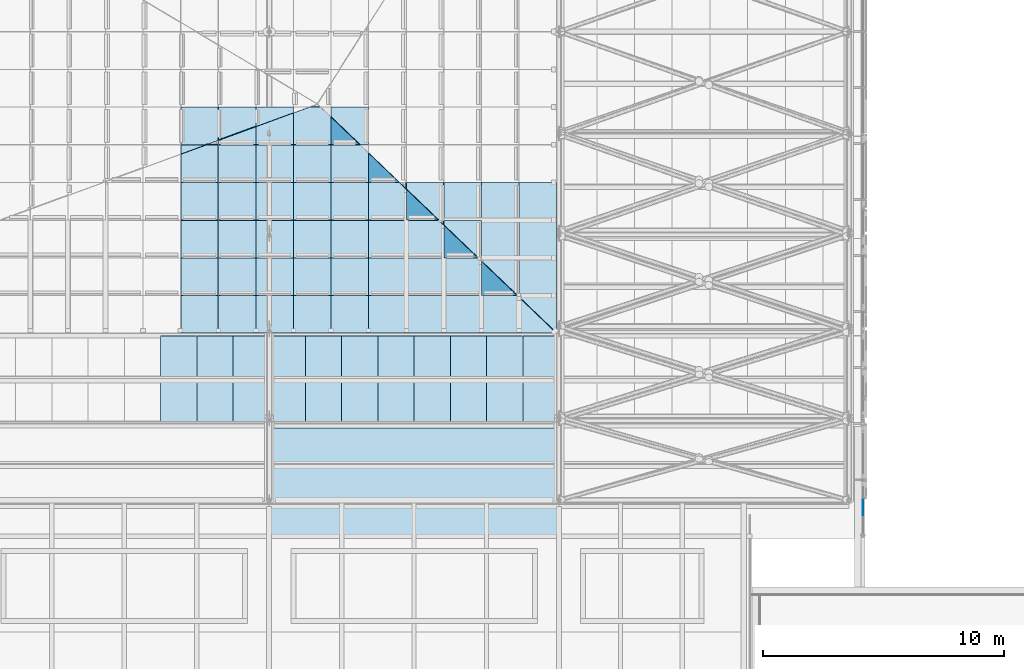
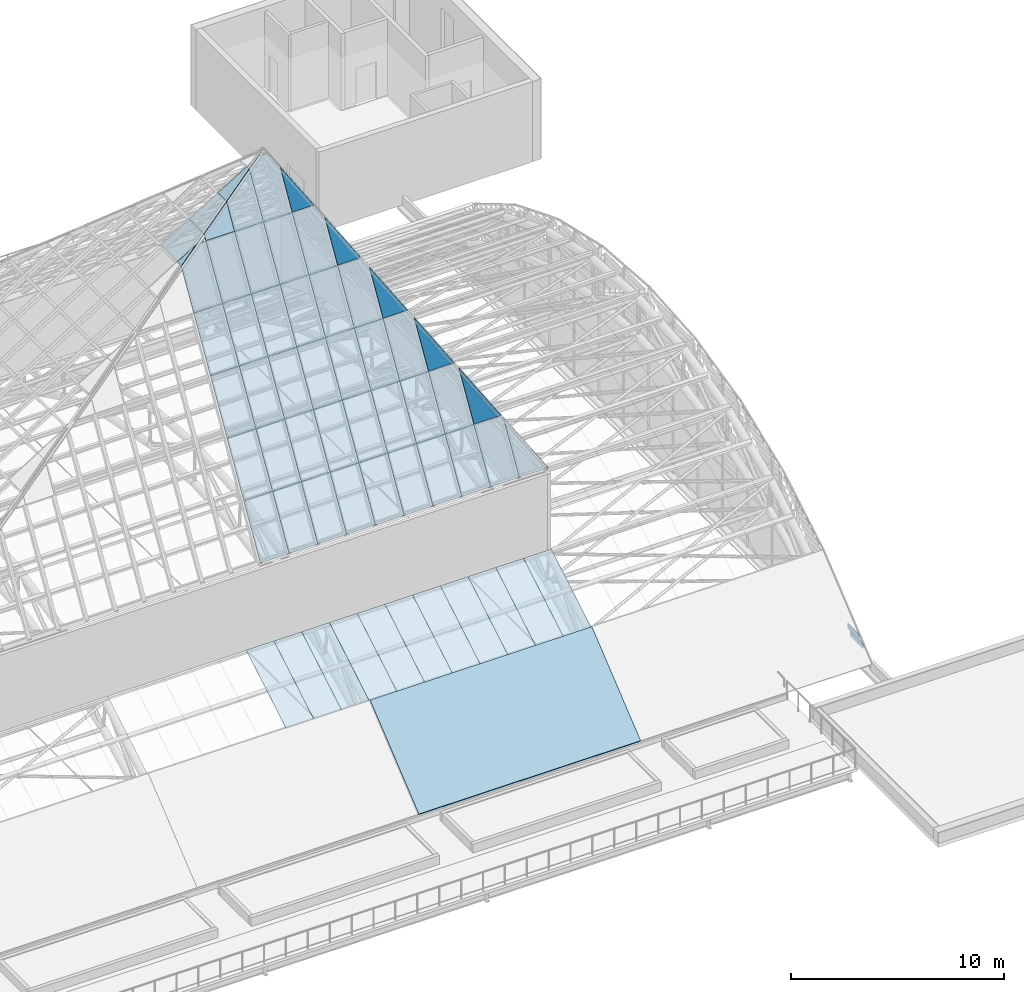
# One storey, part 60 of 110: 72 plates, 1 slab, 1 element without a shape of its own.
"""IFC4 building model written with IfcOpenShell, lengths in metres."""

from ifc_helpers import new_model, si_unit, direction, frame, origin, place, context, subcontext, project, spatial, polyline, outline, extrude, material, layer, layer_set, type_object, element, aggregate, save


model = new_model("IFC4")

# Units and contexts
model_context = context("Model", 3, precision=1e-05, world=origin(), true_north=direction((0.0, 1.0)))
body_context = subcontext(model_context, "Body", "Model", "MODEL_VIEW")
ifc_project = project(units=[si_unit("LENGTHUNIT", "METRE"), si_unit("AREAUNIT", "SQUARE_METRE"), si_unit("VOLUMEUNIT", "CUBIC_METRE"), si_unit("PLANEANGLEUNIT", "RADIAN"), si_unit("MASSUNIT", "GRAM", prefix="KILO")], contexts=[model_context])

# Site, building, storey
site_placement = place(None, origin())
site = spatial("IfcSite", under=ifc_project, at=site_placement, CompositionType="ELEMENT")
building_placement = place(site_placement, origin())
building = spatial("IfcBuilding", under=site, at=building_placement, Name="Windward Yard Aquatics Centre", CompositionType="ELEMENT")
storey_placement = place(building_placement, frame((0.0, 0.0, 22.60009765625)))
storey = spatial("IfcBuildingStorey", under=building, at=storey_placement, Name="L05", CompositionType="ELEMENT", Elevation=22.60009765625)

# Curtain wall, plates
ifc_material_1 = material(Name="Glass and aluminium curtain wall", Category="aluminium")
ifc_layer_1 = layer(ifc_material_1, 0.179931640625)
ifc_layer_set_1 = layer_set([ifc_layer_1], Name="H gable glazing system double glazed 8+16+8")
curtain_wall_type = type_object("IfcCurtainWallType", Name="H gable glazing system double glazed 8+16+8", PredefinedType="NOTDEFINED", material=ifc_layer_set_1)
curtain_wall_placement = place(storey_placement, origin())
curtain_wall = element("IfcCurtainWall", 1, at=curtain_wall_placement, inside=storey, type_object=curtain_wall_type, Name="Gable glazing E", PredefinedType="NOTDEFINED")
ifc_material_2 = material(Name="Low-iron glass", Category="glass")
ifc_layer_2 = layer(ifc_material_2, 0.008, Name="Outer pane")
ifc_material_3 = material(Name="Argon-filled cavity")
ifc_layer_3 = layer(ifc_material_3, 0.016, Name="Cavity")
ifc_layer_4 = layer(ifc_material_2, 0.008, Name="Inner pane")
ifc_layer_set_2 = layer_set([ifc_layer_2, ifc_layer_3, ifc_layer_4], Name="H gable glass low-e double glazed unit 32")
plate_type_1 = type_object("IfcPlateType", Name="H gable glass low-e double glazed unit 32", PredefinedType="CURTAIN_PANEL", material=ifc_layer_set_2)
plate_1_placement = place(storey_placement, frame((144.60595703125, 40.974609375, 0.69091796875), z_axis=(1.0, 0.0, 0.0), x_axis=(0.0, 1.0, 0.0)))
plate_1 = element("IfcPlate", 2, at=plate_1_placement, type_object=plate_type_1, Name="Gable panel 1.1c", PredefinedType="CURTAIN_PANEL", context=body_context, shape_type="SweptSolid", body=[
    extrude(outline(polyline([(0.0, 0.0), (1.186523, 0.0), (1.186523, 0.295166), (0.0, 0.295166), (0.0, 0.0)])), origin(), (0.0, 0.0, -1.0), 0.031982421875),
])
plate_2_placement = place(storey_placement, frame((144.60595703125, 41.334228515625, 0.986328125), z_axis=(1.0, 0.0, 0.0), x_axis=(0.0, 1.0, 0.0)))
plate_2 = element("IfcPlate", 3, at=plate_2_placement, type_object=plate_type_1, Name="Gable panel 1.1d", PredefinedType="CURTAIN_PANEL", context=body_context, shape_type="SweptSolid", body=[
    extrude(outline(polyline([(0.0, 0.0), (1.079346, 0.0), (1.079346, 0.295166), (0.0, 0.295166), (0.0, 0.0)])), origin(), (0.0, 0.0, -1.0), 0.031982421875),
])
aggregate(curtain_wall, [plate_1, plate_2])

# Plates
ifc_material_4 = material(Name="Laminated low-e glass", Category="glass")
ifc_layer_5 = layer(ifc_material_4, 0.035888671875)
ifc_layer_set_3 = layer_set([ifc_layer_5], Name="H lantern glass laminated low-e 36")
plate_type_2 = type_object("IfcPlateType", Name="H lantern glass laminated low-e 36", PredefinedType="SHEET", material=ifc_layer_set_3)
plate_3_placement = place(storey_placement, frame((130.347412109375, 48.514404296875, 10.901123046875), z_axis=(0.0, -0.860068435284, 0.51017868108), x_axis=(0.0, 0.51017868108, 0.860068435284)))
element("IfcPlate", 4, at=plate_3_placement, inside=storey, type_object=plate_type_2, Name="H.LN.G.01.001", PredefinedType="SHEET", context=body_context, shape_type="SweptSolid", body=[
    extrude(outline(polyline([(0.0, 0.0), (2.898513, 0.0), (0.0, -1.54248), (0.0, 0.0)])), origin(), (0.0, 0.0, -1.0), 0.035888671875),
])
plate_4_placement = place(storey_placement, frame((128.791015625, 48.514404296875, 10.901123046875), z_axis=(2.024655e-06, -0.860085640139, 0.510149675705), x_axis=(0.0, 0.510149675706, 0.860085640141)))
element("IfcPlate", 5, at=plate_4_placement, inside=storey, type_object=plate_type_2, Name="H.LN.G.01.002", PredefinedType="SHEET", context=body_context, shape_type="SweptSolid", body=[
    extrude(outline(polyline([(0.0, 0.0), (3.044641, 0.0), (3.044641, -1.47876), (2.913503, -1.548584), (0.0, -1.548584), (0.0, 0.0)])), origin(), (0.0, 0.0, -1.0), 0.035888671875),
])
plate_5_placement = place(storey_placement, frame((128.791015625, 50.07568359375, 13.533203125), z_axis=(0.0, -0.860109194149, 0.510109962793), x_axis=(0.0, 0.510109962793, 0.860109194149)))
element("IfcPlate", 6, at=plate_5_placement, inside=storey, type_object=plate_type_2, Name="H.LN.G.01.003", PredefinedType="SHEET", context=body_context, shape_type="SweptSolid", body=[
    extrude(outline(polyline([(0.0, 0.0), (2.76298, 0.0), (0.0, -1.470215), (0.0, 0.0)])), origin(), (0.0, 0.0, -1.0), 0.035888671875),
])
plate_6_placement = place(storey_placement, frame((127.234375, 48.514404296875, 10.901123046875), z_axis=(0.0, -0.860085663828, 0.510149635771), x_axis=(0.0, 0.510149635771, 0.860085663828)))
element("IfcPlate", 7, at=plate_6_placement, inside=storey, type_object=plate_type_2, Name="H.LN.G.01.004", PredefinedType="SHEET", context=body_context, shape_type="SweptSolid", body=[
    extrude(outline(polyline([(0.0, 0.0), (3.044641, 0.0), (3.044641, -1.548584), (0.0, -1.548584), (0.0, 0.0)])), origin(), (0.0, 0.0, -1.0), 0.035888671875),
])
plate_7_placement = place(storey_placement, frame((127.234375, 50.07568359375, 13.533203125), z_axis=(3.389385e-05, -0.860105723215, 0.51011581405), x_axis=(-5.4e-11, 0.510115814343, 0.860105723709)))
element("IfcPlate", 8, at=plate_7_placement, inside=storey, type_object=plate_type_2, Name="H.LN.G.01.005", PredefinedType="SHEET", context=body_context, shape_type="SweptSolid", body=[
    extrude(outline(polyline([(0.0, 0.0), (3.044851, 0.0), (3.044851, -1.406494), (2.778095, -1.548584), (0.0, -1.548584), (0.0, 0.0)])), origin(), (0.0, 0.0, -1.0), 0.035888671875),
])
plate_8_placement = place(storey_placement, frame((127.234375, 51.636962890625, 16.16552734375), z_axis=(0.0, -0.860129977168, 0.510074918396), x_axis=(0.0, 0.510074918396, 0.860129977168)))
element("IfcPlate", 9, at=plate_8_placement, inside=storey, type_object=plate_type_2, Name="H.LN.G.01.006", PredefinedType="SHEET", context=body_context, shape_type="SweptSolid", body=[
    extrude(outline(polyline([(0.0, 0.0), (2.627237, 0.0), (0.0, -1.398193), (0.0, 0.0)])), origin(), (0.0, 0.0, -1.0), 0.035888671875),
])
plate_9_placement = place(storey_placement, frame((125.677978515625, 48.514404296875, 10.901123046875), z_axis=(0.0, -0.860085663828, 0.510149635771), x_axis=(0.0, 0.510149635771, 0.860085663828)))
element("IfcPlate", 10, at=plate_9_placement, inside=storey, type_object=plate_type_2, Name="H.LN.G.01.007", PredefinedType="SHEET", context=body_context, shape_type="SweptSolid", body=[
    extrude(outline(polyline([(0.0, 0.0), (3.044641, 0.0), (3.044641, -1.54834), (0.0, -1.54834), (0.0, 0.0)])), origin(), (0.0, 0.0, -1.0), 0.035888671875),
])
plate_10_placement = place(storey_placement, frame((125.677978515625, 50.07568359375, 13.533203125), z_axis=(0.0, -0.860106530547, 0.510114453933), x_axis=(0.0, 0.510114453933, 0.860106530547)))
element("IfcPlate", 11, at=plate_10_placement, inside=storey, type_object=plate_type_2, Name="H.LN.G.01.008", PredefinedType="SHEET", context=body_context, shape_type="SweptSolid", body=[
    extrude(outline(polyline([(0.0, 0.0), (3.044851, 0.0), (3.044851, -1.54834), (0.0, -1.54834), (0.0, 0.0)])), origin(), (0.0, 0.0, -1.0), 0.035888671875),
])
plate_11_placement = place(storey_placement, frame((125.677978515625, 51.636962890625, 16.16552734375), z_axis=(4.0007765e-05, -0.860105094744, 0.51011687327), x_axis=(-1.13e-10, 0.510116873679, 0.860105095432)))
element("IfcPlate", 12, at=plate_11_placement, inside=storey, type_object=plate_type_2, Name="H.LN.G.01.009", PredefinedType="SHEET", context=body_context, shape_type="SweptSolid", body=[
    extrude(outline(polyline([(0.0, 0.0), (3.044851, 0.0), (3.044851, -1.334229), (2.642142, -1.54834), (0.0, -1.54834), (0.0, 0.0)])), origin(), (0.0, 0.0, -1.0), 0.035888671875),
])
plate_12_placement = place(storey_placement, frame((125.677978515625, 53.197998046875, 18.7978515625), z_axis=(0.0, -0.860110033295, 0.510108547885), x_axis=(0.0, 0.510108547885, 0.860110033295)))
element("IfcPlate", 13, at=plate_12_placement, inside=storey, type_object=plate_type_2, Name="H.LN.G.01.010", PredefinedType="SHEET", context=body_context, shape_type="SweptSolid", body=[
    extrude(outline(polyline([(0.0, 0.0), (2.491619, 0.0), (0.0, -1.325928), (0.0, 0.0)])), origin(), (0.0, 0.0, -1.0), 0.035888671875),
])
plate_13_placement = place(storey_placement, frame((124.121337890625, 48.514404296875, 10.901123046875), z_axis=(0.0, -0.860085663828, 0.510149635771), x_axis=(0.0, 0.510149635771, 0.860085663828)))
element("IfcPlate", 14, at=plate_13_placement, inside=storey, type_object=plate_type_2, Name="H.LN.G.01.011", PredefinedType="SHEET", context=body_context, shape_type="SweptSolid", body=[
    extrude(outline(polyline([(0.0, 0.0), (3.044641, 0.0), (3.044641, -1.548584), (0.0, -1.548584), (0.0, 0.0)])), origin(), (0.0, 0.0, -1.0), 0.035888671875),
])
for number, where, z_axis, x_axis, name in (
    (15, (124.121337890625, 50.07568359375, 13.533203125), (0.0, -0.860106530547, 0.510114453933), (0.0, 0.510114453933, 0.860106530547), "H.LN.G.01.012"),
    (16, (124.121337890625, 51.636962890625, 16.16552734375), (0.0, -0.860106530547, 0.510114453933), (0.0, 0.510114453933, 0.860106530547), "H.LN.G.01.013"),
):
    element("IfcPlate", number, at=place(storey_placement, frame(where, z_axis=z_axis, x_axis=x_axis)), inside=storey, type_object=plate_type_2, Name=name, PredefinedType="SHEET", context=body_context, shape_type="SweptSolid", body=[
        extrude(outline(polyline([(0.0, 0.0), (3.044851, 0.0), (3.044851, -1.548584), (0.0, -1.548584), (0.0, 0.0)])), origin(), (0.0, 0.0, -1.0), 0.035888671875),
    ])
plate_14_placement = place(storey_placement, frame((124.121337890625, 53.197998046875, 18.7978515625), z_axis=(4.0663214e-05, -0.860083711914, 0.510152924962), x_axis=(-1.56e-10, 0.510152925384, 0.860083712625)))
element("IfcPlate", 17, at=plate_14_placement, inside=storey, type_object=plate_type_2, Name="H.LN.G.01.014", PredefinedType="SHEET", context=body_context, shape_type="SweptSolid", body=[
    extrude(outline(polyline([(0.0, 0.0), (3.044641, 0.0), (3.044641, -1.262207), (2.506523, -1.548584), (0.0, -1.548584), (0.0, 0.0)])), origin(), (0.0, 0.0, -1.0), 0.035888671875),
])
plate_15_placement = place(storey_placement, frame((124.121337890625, 54.75927734375, 21.43017578125), z_axis=(0.0, -0.86010629316, 0.510114854191), x_axis=(0.0, 0.510114854191, 0.86010629316)))
element("IfcPlate", 18, at=plate_15_placement, inside=storey, type_object=plate_type_2, Name="H.LN.G.01.015", PredefinedType="SHEET", context=body_context, shape_type="SweptSolid", body=[
    extrude(outline(polyline([(0.0, 0.0), (2.355666, 0.0), (0.0, -1.253906), (0.0, 0.0)])), origin(), (0.0, 0.0, -1.0), 0.035888671875),
])
plate_16_placement = place(storey_placement, frame((122.56494140625, 48.514404296875, 10.901123046875), z_axis=(0.0, -0.860085663828, 0.510149635771), x_axis=(0.0, 0.510149635771, 0.860085663828)))
element("IfcPlate", 19, at=plate_16_placement, inside=storey, type_object=plate_type_2, Name="H.LN.G.01.016", PredefinedType="SHEET", context=body_context, shape_type="SweptSolid", body=[
    extrude(outline(polyline([(0.0, 0.0), (3.044641, 0.0), (3.044641, -1.54834), (0.0, -1.54834), (0.0, 0.0)])), origin(), (0.0, 0.0, -1.0), 0.035888671875),
])
for number, where, z_axis, x_axis, name in (
    (20, (122.56494140625, 50.07568359375, 13.533203125), (0.0, -0.860106530547, 0.510114453933), (0.0, 0.510114453933, 0.860106530547), "H.LN.G.01.017"),
    (21, (122.56494140625, 51.636962890625, 16.16552734375), (0.0, -0.860106530547, 0.510114453933), (0.0, 0.510114453933, 0.860106530547), "H.LN.G.01.018"),
):
    element("IfcPlate", number, at=place(storey_placement, frame(where, z_axis=z_axis, x_axis=x_axis)), inside=storey, type_object=plate_type_2, Name=name, PredefinedType="SHEET", context=body_context, shape_type="SweptSolid", body=[
        extrude(outline(polyline([(0.0, 0.0), (3.044851, 0.0), (3.044851, -1.54834), (0.0, -1.54834), (0.0, 0.0)])), origin(), (0.0, 0.0, -1.0), 0.035888671875),
    ])
plate_17_placement = place(storey_placement, frame((122.56494140625, 53.197998046875, 18.7978515625), z_axis=(0.0, -0.860085663828, 0.510149635771), x_axis=(0.0, 0.510149635771, 0.860085663828)))
element("IfcPlate", 22, at=plate_17_placement, inside=storey, type_object=plate_type_2, Name="H.LN.G.01.019", PredefinedType="SHEET", context=body_context, shape_type="SweptSolid", body=[
    extrude(outline(polyline([(0.0, 0.0), (3.044641, 0.0), (3.044641, -1.54834), (0.0, -1.54834), (0.0, 0.0)])), origin(), (0.0, 0.0, -1.0), 0.035888671875),
])
plate_18_placement = place(storey_placement, frame((122.56494140625, 54.75927734375, 21.43017578125), z_axis=(7.655955e-06, -0.860085204047, 0.510150410879), x_axis=(-7e-12, 0.510150410894, 0.860085204073)))
element("IfcPlate", 23, at=plate_18_placement, inside=storey, type_object=plate_type_2, Name="H.LN.G.01.020", PredefinedType="SHEET", context=body_context, shape_type="SweptSolid", body=[
    extrude(outline(polyline([(0.0, 0.0), (3.044641, 0.0), (3.044641, -1.189941), (2.37078, -1.54834), (0.0, -1.54834), (0.0, 0.0)])), origin(), (0.0, 0.0, -1.0), 0.035888671875),
])
plate_19_placement = place(storey_placement, frame((122.56494140625, 56.320556640625, 24.0625), z_axis=(0.0, -0.860130712182, 0.510073678954), x_axis=(0.0, 0.510073678954, 0.860130712182)))
element("IfcPlate", 24, at=plate_19_placement, inside=storey, type_object=plate_type_2, Name="H.LN.G.01.021", PredefinedType="SHEET", context=body_context, shape_type="SweptSolid", body=[
    extrude(outline(polyline([(0.0, 0.0), (2.219923, 0.0), (0.0, -1.181396), (0.0, 0.0)])), origin(), (0.0, 0.0, -1.0), 0.035888671875),
])
plate_20_placement = place(storey_placement, frame((121.00830078125, 48.514404296875, 10.901123046875), z_axis=(0.0, -0.860085663828, 0.510149635771), x_axis=(0.0, 0.510149635771, 0.860085663828)))
element("IfcPlate", 25, at=plate_20_placement, inside=storey, type_object=plate_type_2, Name="H.LN.G.01.022", PredefinedType="SHEET", context=body_context, shape_type="SweptSolid", body=[
    extrude(outline(polyline([(0.0, 0.0), (3.044641, 0.0), (3.044641, -1.548584), (0.0, -1.548584), (0.0, 0.0)])), origin(), (0.0, 0.0, -1.0), 0.035888671875),
])
for number, where, z_axis, x_axis, name in (
    (26, (121.00830078125, 50.07568359375, 13.533203125), (0.0, -0.860106530547, 0.510114453933), (0.0, 0.510114453933, 0.860106530547), "H.LN.G.01.023"),
    (27, (121.00830078125, 51.636962890625, 16.16552734375), (0.0, -0.860106530547, 0.510114453933), (0.0, 0.510114453933, 0.860106530547), "H.LN.G.01.024"),
):
    element("IfcPlate", number, at=place(storey_placement, frame(where, z_axis=z_axis, x_axis=x_axis)), inside=storey, type_object=plate_type_2, Name=name, PredefinedType="SHEET", context=body_context, shape_type="SweptSolid", body=[
        extrude(outline(polyline([(0.0, 0.0), (3.044851, 0.0), (3.044851, -1.548584), (0.0, -1.548584), (0.0, 0.0)])), origin(), (0.0, 0.0, -1.0), 0.035888671875),
    ])
for number, where, z_axis, x_axis, name in (
    (28, (121.00830078125, 53.197998046875, 18.7978515625), (0.0, -0.860085663828, 0.510149635771), (0.0, 0.510149635771, 0.860085663828), "H.LN.G.01.025"),
    (29, (121.00830078125, 54.75927734375, 21.43017578125), (0.0, -0.860085663828, 0.510149635771), (0.0, 0.510149635771, 0.860085663828), "H.LN.G.01.026"),
):
    element("IfcPlate", number, at=place(storey_placement, frame(where, z_axis=z_axis, x_axis=x_axis)), inside=storey, type_object=plate_type_2, Name=name, PredefinedType="SHEET", context=body_context, shape_type="SweptSolid", body=[
        extrude(outline(polyline([(0.0, 0.0), (3.044641, 0.0), (3.044641, -1.548584), (0.0, -1.548584), (0.0, 0.0)])), origin(), (0.0, 0.0, -1.0), 0.035888671875),
    ])
plate_21_placement = place(storey_placement, frame((121.00830078125, 56.320556640625, 24.0625), z_axis=(2.5610688e-05, -0.860118827672, 0.510093718475), x_axis=(-7.4e-11, 0.510093718643, 0.860118827954)))
element("IfcPlate", 30, at=plate_21_placement, inside=storey, type_object=plate_type_2, Name="H.LN.G.01.027", PredefinedType="SHEET", context=body_context, shape_type="SweptSolid", body=[
    extrude(outline(polyline([(0.0, 0.0), (2.571633, 0.0), (3.044517, -0.658447), (3.044517, -1.11792), (2.235037, -1.548584), (0.0, -1.548584), (0.0, 0.0)])), origin(), (0.0, 0.0, -1.0), 0.035888671875),
])
plate_22_placement = place(storey_placement, frame((119.451904296875, 48.514404296875, 10.901123046875), z_axis=(0.0, -0.860085663828, 0.510149635771), x_axis=(0.0, 0.510149635771, 0.860085663828)))
element("IfcPlate", 31, at=plate_22_placement, inside=storey, type_object=plate_type_2, Name="H.LN.G.01.028", PredefinedType="SHEET", context=body_context, shape_type="SweptSolid", body=[
    extrude(outline(polyline([(0.0, 0.0), (3.044641, 0.0), (3.044641, -1.54834), (0.0, -1.54834), (0.0, 0.0)])), origin(), (0.0, 0.0, -1.0), 0.035888671875),
])
for number, where, z_axis, x_axis, name in (
    (32, (119.451904296875, 50.07568359375, 13.533203125), (0.0, -0.860106530547, 0.510114453933), (0.0, 0.510114453933, 0.860106530547), "H.LN.G.01.029"),
    (33, (119.451904296875, 51.636962890625, 16.16552734375), (0.0, -0.860106530547, 0.510114453933), (0.0, 0.510114453933, 0.860106530547), "H.LN.G.01.030"),
):
    element("IfcPlate", number, at=place(storey_placement, frame(where, z_axis=z_axis, x_axis=x_axis)), inside=storey, type_object=plate_type_2, Name=name, PredefinedType="SHEET", context=body_context, shape_type="SweptSolid", body=[
        extrude(outline(polyline([(0.0, 0.0), (3.044851, 0.0), (3.044851, -1.54834), (0.0, -1.54834), (0.0, 0.0)])), origin(), (0.0, 0.0, -1.0), 0.035888671875),
    ])
for number, where, z_axis, x_axis, name in (
    (34, (119.451904296875, 53.197998046875, 18.7978515625), (0.0, -0.860085663828, 0.510149635771), (0.0, 0.510149635771, 0.860085663828), "H.LN.G.01.031"),
    (35, (119.451904296875, 54.75927734375, 21.43017578125), (0.0, -0.860085663828, 0.510149635771), (0.0, 0.510149635771, 0.860085663828), "H.LN.G.01.032"),
):
    element("IfcPlate", number, at=place(storey_placement, frame(where, z_axis=z_axis, x_axis=x_axis)), inside=storey, type_object=plate_type_2, Name=name, PredefinedType="SHEET", context=body_context, shape_type="SweptSolid", body=[
        extrude(outline(polyline([(0.0, 0.0), (3.044641, 0.0), (3.044641, -1.54834), (0.0, -1.54834), (0.0, 0.0)])), origin(), (0.0, 0.0, -1.0), 0.035888671875),
    ])
plate_23_placement = place(storey_placement, frame((119.451904296875, 56.320556640625, 24.0625), z_axis=(4.3689128e-05, -0.860139562766, 0.510058752161), x_axis=(-2.033e-09, 0.510058752648, 0.860139563587)))
element("IfcPlate", 36, at=plate_23_placement, inside=storey, type_object=plate_type_2, Name="H.LN.G.01.033", PredefinedType="SHEET", context=body_context, shape_type="SweptSolid", body=[
    extrude(outline(polyline([(0.0, 0.0), (1.45378, 0.0), (2.565939, -1.54834), (0.0, -1.54834), (0.0, 0.0)])), origin(), (0.0, 0.0, -1.0), 0.035888671875),
])
plate_24_placement = place(storey_placement, frame((117.895263671875, 48.514404296875, 10.901123046875), z_axis=(0.0, -0.860085663828, 0.510149635771), x_axis=(0.0, 0.510149635771, 0.860085663828)))
element("IfcPlate", 37, at=plate_24_placement, inside=storey, type_object=plate_type_2, Name="H.LN.G.01.034", PredefinedType="SHEET", context=body_context, shape_type="SweptSolid", body=[
    extrude(outline(polyline([(0.0, 0.0), (3.044641, 0.0), (3.044641, -1.548584), (0.0, -1.548584), (0.0, 0.0)])), origin(), (0.0, 0.0, -1.0), 0.035888671875),
])
for number, where, z_axis, x_axis, name in (
    (38, (117.895263671875, 50.07568359375, 13.533203125), (0.0, -0.860106530547, 0.510114453933), (0.0, 0.510114453933, 0.860106530547), "H.LN.G.01.035"),
    (39, (117.895263671875, 51.636962890625, 16.16552734375), (0.0, -0.860106530547, 0.510114453933), (0.0, 0.510114453933, 0.860106530547), "H.LN.G.01.036"),
):
    element("IfcPlate", number, at=place(storey_placement, frame(where, z_axis=z_axis, x_axis=x_axis)), inside=storey, type_object=plate_type_2, Name=name, PredefinedType="SHEET", context=body_context, shape_type="SweptSolid", body=[
        extrude(outline(polyline([(0.0, 0.0), (3.044851, 0.0), (3.044851, -1.548584), (0.0, -1.548584), (0.0, 0.0)])), origin(), (0.0, 0.0, -1.0), 0.035888671875),
    ])
for number, where, z_axis, x_axis, name in (
    (40, (117.895263671875, 53.197998046875, 18.7978515625), (0.0, -0.860085663828, 0.510149635771), (0.0, 0.510149635771, 0.860085663828), "H.LN.G.01.037"),
    (41, (117.895263671875, 54.75927734375, 21.43017578125), (0.0, -0.860085663828, 0.510149635771), (0.0, 0.510149635771, 0.860085663828), "H.LN.G.01.038"),
):
    element("IfcPlate", number, at=place(storey_placement, frame(where, z_axis=z_axis, x_axis=x_axis)), inside=storey, type_object=plate_type_2, Name=name, PredefinedType="SHEET", context=body_context, shape_type="SweptSolid", body=[
        extrude(outline(polyline([(0.0, 0.0), (3.044641, 0.0), (3.044641, -1.548584), (0.0, -1.548584), (0.0, 0.0)])), origin(), (0.0, 0.0, -1.0), 0.035888671875),
    ])
plate_25_placement = place(storey_placement, frame((117.895263671875, 56.320556640625, 24.0625), z_axis=(4.4729888e-05, -0.86019814428, 0.509959949974), x_axis=(-9.229e-09, 0.509959950484, 0.86019814514)))
element("IfcPlate", 42, at=plate_25_placement, inside=storey, type_object=plate_type_2, Name="H.LN.G.01.039", PredefinedType="SHEET", context=body_context, shape_type="SweptSolid", body=[
    extrude(outline(polyline([(0.0, 0.0), (0.335717, 0.0), (1.448086, -1.548584), (0.0, -1.548584), (0.0, 0.0)])), origin(), (0.0, 0.0, -1.0), 0.035888671875),
])
plate_26_placement = place(storey_placement, frame((116.3388671875, 48.514404296875, 10.901123046875), z_axis=(0.0, -0.860085663828, 0.510149635771), x_axis=(0.0, 0.510149635771, 0.860085663828)))
element("IfcPlate", 43, at=plate_26_placement, inside=storey, type_object=plate_type_2, Name="H.LN.G.01.040", PredefinedType="SHEET", context=body_context, shape_type="SweptSolid", body=[
    extrude(outline(polyline([(0.0, 0.0), (3.044641, 0.0), (3.044641, -1.54834), (0.0, -1.54834), (0.0, 0.0)])), origin(), (0.0, 0.0, -1.0), 0.035888671875),
])
for number, where, z_axis, x_axis, name in (
    (44, (116.3388671875, 50.07568359375, 13.533203125), (0.0, -0.860106530547, 0.510114453933), (0.0, 0.510114453933, 0.860106530547), "H.LN.G.01.041"),
    (45, (116.3388671875, 51.636962890625, 16.16552734375), (0.0, -0.860106530547, 0.510114453933), (0.0, 0.510114453933, 0.860106530547), "H.LN.G.01.042"),
):
    element("IfcPlate", number, at=place(storey_placement, frame(where, z_axis=z_axis, x_axis=x_axis)), inside=storey, type_object=plate_type_2, Name=name, PredefinedType="SHEET", context=body_context, shape_type="SweptSolid", body=[
        extrude(outline(polyline([(0.0, 0.0), (3.044851, 0.0), (3.044851, -1.54834), (0.0, -1.54834), (0.0, 0.0)])), origin(), (0.0, 0.0, -1.0), 0.035888671875),
    ])
plate_27_placement = place(storey_placement, frame((116.3388671875, 53.197998046875, 18.7978515625), z_axis=(0.0, -0.860085663828, 0.510149635771), x_axis=(0.0, 0.510149635771, 0.860085663828)))
element("IfcPlate", 46, at=plate_27_placement, inside=storey, type_object=plate_type_2, Name="H.LN.G.01.043", PredefinedType="SHEET", context=body_context, shape_type="SweptSolid", body=[
    extrude(outline(polyline([(0.0, 0.0), (3.044641, 0.0), (3.044641, -1.54834), (0.0, -1.54834), (0.0, 0.0)])), origin(), (0.0, 0.0, -1.0), 0.035888671875),
])
plate_28_placement = place(storey_placement, frame((116.3388671875, 54.75927734375, 21.43017578125), z_axis=(8.3162325e-05, -0.860100527017, 0.510124569599), x_axis=(-6.161e-09, 0.510124571363, 0.860100529992)))
element("IfcPlate", 47, at=plate_28_placement, inside=storey, type_object=plate_type_2, Name="H.LN.G.01.044", PredefinedType="SHEET", context=body_context, shape_type="SweptSolid", body=[
    extrude(outline(polyline([(0.0, 0.0), (2.278374, 0.0), (3.044641, -1.066895), (3.044641, -1.54834), (0.0, -1.54834), (0.0, 0.0)])), origin(), (0.0, 0.0, -1.0), 0.035888671875),
])
plate_29_placement = place(storey_placement, frame((122.56494140625, 57.464111328125, 25.981201171875), z_axis=(0.850390257898, 2.3980489e-05, 0.526152457656), x_axis=(-2.0392774e-05, 0.999999999712, -1.2617393e-05)))
element("IfcPlate", 48, at=plate_29_placement, inside=storey, type_object=plate_type_2, Name="H.LN.G.02.045", PredefinedType="SHEET", context=body_context, shape_type="SweptSolid", body=[
    extrude(outline(polyline([(0.0, 0.0), (0.409424, 0.0), (0.409424, -2.942715), (-1.143555, -2.942715), (-1.143555, -2.267502), (0.0, 0.0)])), origin(), (0.0, 0.0, -1.0), 0.035888671875),
])
for number, where, z_axis, x_axis, name in (
    (49, (130.347412109375, 53.197998046875, 13.4033203125), (0.850371202966, 0.0, 0.526183254357), (0.0, 1.0, 0.0), "H.LN.G.02.053"),
    (50, (128.791015625, 53.197998046875, 15.9189453125), (0.850371202966, 0.0, 0.526183254357), (0.0, 1.0, 0.0), "H.LN.G.02.054"),
    (51, (127.234375, 53.197998046875, 18.4345703125), (0.850371202966, 0.0, 0.526183254357), (0.0, 1.0, 0.0), "H.LN.G.02.055"),
):
    element("IfcPlate", number, at=place(storey_placement, frame(where, z_axis=z_axis, x_axis=x_axis)), inside=storey, type_object=plate_type_2, Name=name, PredefinedType="SHEET", context=body_context, shape_type="SweptSolid", body=[
        extrude(outline(polyline([(0.0, 0.0), (1.553223, 0.0), (1.553223, -2.943051), (0.0, -2.943051), (0.0, 0.0)])), origin(), (0.0, 0.0, -1.0), 0.035888671875),
    ])
plate_30_placement = place(storey_placement, frame((125.677978515625, 54.47998046875, 20.9501953125), z_axis=(0.850415077077, 2.9481385e-05, 0.526112341436), x_axis=(-2.5071415e-05, 0.999999999565, -1.5510521e-05)))
element("IfcPlate", 52, at=plate_30_placement, inside=storey, type_object=plate_type_2, Name="H.LN.G.02.056", PredefinedType="SHEET", context=body_context, shape_type="SweptSolid", body=[
    extrude(outline(polyline([(0.0, 0.0), (0.27124, 0.0), (0.27124, -2.942922), (-1.281982, -2.942922), (-1.281982, -2.541899), (0.0, 0.0)])), origin(), (0.0, 0.0, -1.0), 0.035888671875),
])
for number, where, z_axis, x_axis, name in (
    (53, (130.347412109375, 51.636962890625, 13.4033203125), (0.850371202966, 0.0, 0.526183254357), (0.0, 1.0, 0.0), "H.LN.G.02.057"),
    (54, (128.791015625, 51.636962890625, 15.9189453125), (0.850371202966, 0.0, 0.526183254357), (0.0, 1.0, 0.0), "H.LN.G.02.058"),
):
    element("IfcPlate", number, at=place(storey_placement, frame(where, z_axis=z_axis, x_axis=x_axis)), inside=storey, type_object=plate_type_2, Name=name, PredefinedType="SHEET", context=body_context, shape_type="SweptSolid", body=[
        extrude(outline(polyline([(0.0, 0.0), (1.553223, 0.0), (1.553223, -2.943051), (0.0, -2.943051), (0.0, 0.0)])), origin(), (0.0, 0.0, -1.0), 0.035888671875),
    ])
plate_31_placement = place(storey_placement, frame((127.234375, 52.98828125, 18.4345703125), z_axis=(0.850388540296, 7.1771442e-05, 0.52615522936), x_axis=(-6.1033612e-05, 0.999999997424, -3.7762919e-05)))
element("IfcPlate", 55, at=plate_31_placement, inside=storey, type_object=plate_type_2, Name="H.LN.G.02.059", PredefinedType="SHEET", context=body_context, shape_type="SweptSolid", body=[
    extrude(outline(polyline([(0.0, 0.0), (0.201904, 0.0), (0.201904, -2.943051), (-1.351318, -2.943051), (-1.351318, -2.67929), (0.0, 0.0)])), origin(), (0.0, 0.0, -1.0), 0.035888671875),
])
plate_32_placement = place(storey_placement, frame((130.347412109375, 50.07568359375, 13.4033203125), z_axis=(0.850371202966, 0.0, 0.526183254357), x_axis=(0.0, 1.0, 0.0)))
element("IfcPlate", 56, at=plate_32_placement, inside=storey, type_object=plate_type_2, Name="H.LN.G.02.060", PredefinedType="SHEET", context=body_context, shape_type="SweptSolid", body=[
    extrude(outline(polyline([(0.0, 0.0), (1.553223, 0.0), (1.553223, -2.943051), (0.0, -2.943051), (0.0, 0.0)])), origin(), (0.0, 0.0, -1.0), 0.035888671875),
])
plate_33_placement = place(storey_placement, frame((128.791015625, 51.49609375, 15.9189453125), z_axis=(0.850367493691, -1.4605719e-05, 0.526189248713), x_axis=(1.2420229e-05, 0.999999999893, 7.685372e-06)))
element("IfcPlate", 57, at=plate_33_placement, inside=storey, type_object=plate_type_2, Name="H.LN.G.02.061", PredefinedType="SHEET", context=body_context, shape_type="SweptSolid", body=[
    extrude(outline(polyline([(0.0, 0.0), (0.132812, 0.0), (0.132812, -2.943051), (-1.42041, -2.943051), (-1.42041, -2.816424), (0.0, 0.0)])), origin(), (0.0, 0.0, -1.0), 0.035888671875),
])
plate_34_placement = place(storey_placement, frame((130.347412109375, 50.004150390625, 13.4033203125), z_axis=(0.850371202966, 0.0, 0.526183254357), x_axis=(0.0, 1.0, 0.0)))
element("IfcPlate", 58, at=plate_34_placement, inside=storey, type_object=plate_type_2, Name="H.LN.G.02.062", PredefinedType="SHEET", context=body_context, shape_type="SweptSolid", body=[
    extrude(outline(polyline([(0.0, 0.0), (0.063477, 0.0), (0.063477, -2.943051), (-1.484131, -2.943051), (0.0, 0.0)])), origin(), (0.0, 0.0, -1.0), 0.035888671875),
])
plate_35_placement = place(storey_placement, frame((116.3388671875, 55.93017578125, 23.39697265625), z_axis=(-0.525573377754, 0.0, 0.850748273343), x_axis=(0.0, 1.0, 0.0)))
element("IfcPlate", 59, at=plate_35_placement, inside=storey, type_object=plate_type_2, Name="H.LN.G.04.042", PredefinedType="SHEET", context=body_context, shape_type="SweptSolid", body=[
    extrude(outline(polyline([(0.0, 0.0), (0.382324, 0.0), (0.382324, -1.226804), (0.0, 0.0)])), origin(), (0.0, 0.0, -1.0), 0.035888671875),
])
plate_36_placement = place(storey_placement, frame((116.3388671875, 56.320556640625, 23.39697265625), z_axis=(-0.525578449452, -1.288181e-06, 0.850745140139), x_axis=(-6.7704e-07, 0.999999999999, 1.095913e-06)))
element("IfcPlate", 60, at=plate_36_placement, inside=storey, type_object=plate_type_2, Name="H.LN.G.04.056", PredefinedType="SHEET", context=body_context, shape_type="SweptSolid", body=[
    extrude(outline(polyline([(0.0, 0.0), (1.552979, 0.0), (1.552979, -1.819981), (0.176758, -1.819981), (0.0, -1.252347), (0.0, 0.0)])), origin(), (0.0, 0.0, -1.0), 0.035888671875),
])
plate_37_placement = place(storey_placement, frame((117.895263671875, 56.500244140625, 24.3583984375), z_axis=(-0.525615657471, 0.0, 0.850722152422), x_axis=(0.0, 1.0, 0.0)))
element("IfcPlate", 61, at=plate_37_placement, inside=storey, type_object=plate_type_2, Name="H.LN.G.04.057", PredefinedType="SHEET", context=body_context, shape_type="SweptSolid", body=[
    extrude(outline(polyline([(0.0, 0.0), (1.373291, 0.0), (1.373291, -1.820317), (0.567383, -1.820317), (0.0, 0.0)])), origin(), (0.0, 0.0, -1.0), 0.035888671875),
])
plate_38_placement = place(storey_placement, frame((119.451904296875, 57.070556640625, 25.320068359375), z_axis=(-0.525578555888, 0.0, 0.850745074385), x_axis=(0.0, 1.0, 0.0)))
element("IfcPlate", 62, at=plate_38_placement, inside=storey, type_object=plate_type_2, Name="H.LN.G.04.058", PredefinedType="SHEET", context=body_context, shape_type="SweptSolid", body=[
    extrude(outline(polyline([(0.0, 0.0), (0.802979, 0.0), (0.802979, -1.819981), (0.567383, -1.819981), (0.0, 0.0)])), origin(), (0.0, 0.0, -1.0), 0.035888671875),
])

# Slab
ifc_material_5 = material(Name="Aluminium standing seam sheet", Category="aluminium")
ifc_layer_6 = layer(ifc_material_5, 0.001, Name="Roof covering")
ifc_material_6 = material(Name="Breather membrane")
ifc_layer_7 = layer(ifc_material_6, 0.002, Name="Underlay")
ifc_material_7 = material(Name="Mineral wool insulation")
ifc_layer_8 = layer(ifc_material_7, 0.1, Name="Insulation")
ifc_material_8 = material(Name="Vapour control layer")
ifc_layer_9 = layer(ifc_material_8, 0.001, Name="Vapour control")
ifc_material_9 = material(Name="Profiled galvanised steel deck", Category="steel")
ifc_layer_10 = layer(ifc_material_9, 0.046, Name="Deck")
ifc_layer_set_4 = layer_set([ifc_layer_6, ifc_layer_7, ifc_layer_8, ifc_layer_9, ifc_layer_10], Name="H standing seam roofing 150")
slab_type = type_object("IfcSlabType", Name="H standing seam roofing 150", PredefinedType="ROOF", material=ifc_layer_set_4)
slab_placement = place(storey_placement, frame((120.0, 26.0, 0.0), z_axis=(1.0, 0.0, 0.0), x_axis=(0.0, 1.0, 0.0)))
element("IfcSlab", 63, at=slab_placement, inside=storey, type_object=slab_type, Name="Roof covering bay 6", PredefinedType="ROOF", context=body_context, shape_type="SweptSolid", body=[
    extrude(outline(polyline([(14.107666015625, 0.300048828125), (18.67431640625, 4.050537109375), (18.588134765625, 4.173828125), (14.012451171875, 0.416015625), (14.107666015625, 0.300048828125)])), origin(), (0.0, 0.0, 1.0), 12.0),
])

# Plates
ifc_material_10 = material(Name="Translucent multiwall polycarbonate sheet")
ifc_layer_11 = layer(ifc_material_10, 0.031982421875)
ifc_layer_set_5 = layer_set([ifc_layer_11], Name="H translucent roof sheet multiwall polycarbonate 32")
plate_type_3 = type_object("IfcPlateType", Name="H translucent roof sheet multiwall polycarbonate 32", PredefinedType="SHEET", material=ifc_layer_set_5)
for number, where, z_axis, x_axis, name in (
    (64, (115.501953125, 26.0, 0.0), (1.0, 0.0, 0.0), (0.0, 1.0, 0.0), "Daylight roof sheet bay 5 facet 2 sheet 6"),
    (65, (117.001953125, 26.0, 0.0), (1.0, 0.0, 0.0), (0.0, 1.0, 0.0), "Daylight roof sheet bay 5 facet 2 sheet 7"),
    (66, (118.501953125, 26.0, 0.0), (1.0, 0.0, 0.0), (0.0, 1.0, 0.0), "Daylight roof sheet bay 5 facet 2 sheet 8"),
    (67, (120.001953125, 26.0, 0.0), (1.0, 0.0, 0.0), (0.0, 1.0, 0.0), "Daylight roof sheet bay 6 facet 2 sheet 1"),
    (68, (121.501953125, 26.0, 0.0), (1.0, 0.0, 0.0), (0.0, 1.0, 0.0), "Daylight roof sheet bay 6 facet 2 sheet 2"),
    (69, (123.001953125, 26.0, 0.0), (1.0, 0.0, 0.0), (0.0, 1.0, 0.0), "Daylight roof sheet bay 6 facet 2 sheet 3"),
    (70, (124.501953125, 26.0, 0.0), (1.0, 0.0, 0.0), (0.0, 1.0, 0.0), "Daylight roof sheet bay 6 facet 2 sheet 4"),
    (71, (126.001953125, 26.0, 0.0), (1.0, 0.0, 0.0), (0.0, 1.0, 0.0), "Daylight roof sheet bay 6 facet 2 sheet 5"),
    (72, (127.501953125, 26.0, 0.0), (1.0, 0.0, 0.0), (0.0, 1.0, 0.0), "Daylight roof sheet bay 6 facet 2 sheet 6"),
    (73, (129.001953125, 26.0, 0.0), (1.0, 0.0, 0.0), (0.0, 1.0, 0.0), "Daylight roof sheet bay 6 facet 2 sheet 7"),
    (74, (130.501953125, 26.0, 0.0), (1.0, 0.0, 0.0), (0.0, 1.0, 0.0), "Daylight roof sheet bay 6 facet 2 sheet 8"),
):
    element("IfcPlate", number, at=place(storey_placement, frame(where, z_axis=z_axis, x_axis=x_axis)), inside=storey, type_object=plate_type_3, Name=name, PredefinedType="SHEET", context=body_context, shape_type="SweptSolid", body=[
        extrude(outline(polyline([(18.67431640625, 4.050537109375), (22.41064453125, 6.2646484375), (22.396240234375, 6.29345703125), (18.656005859375, 4.076904296875), (18.67431640625, 4.050537109375)])), origin(), (0.0, 0.0, 1.0), 1.49609375),
    ])

save(model, "model.ifc")
